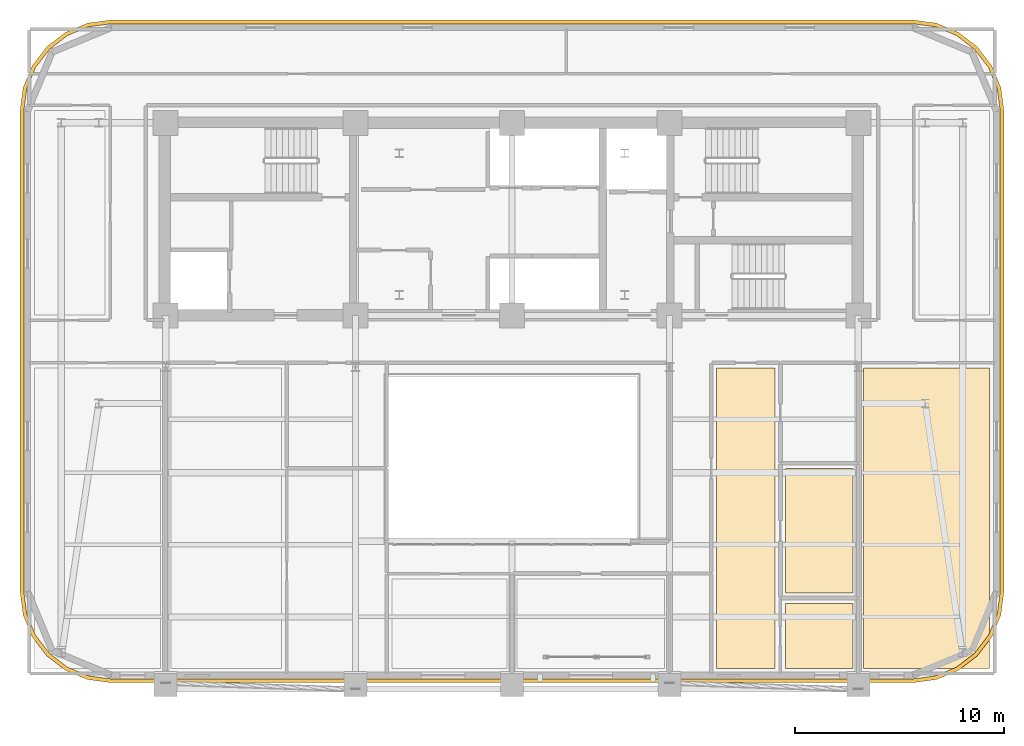
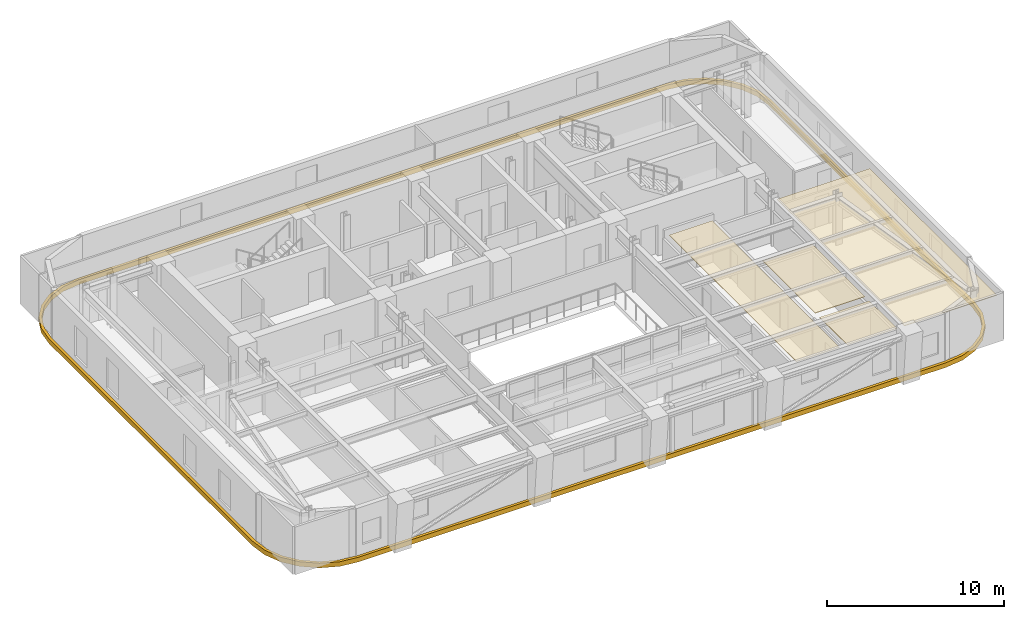
# One storey, part 12 of 13: 5 coverings.
"""IFC4 building model written with IfcOpenShell, lengths in metres."""

from ifc_helpers import new_model, si_unit, direction, frame, origin, place, context, subcontext, project, spatial, polyline, outline, extrude, material, layer, layer_set, type_object, element, save


model = new_model("IFC4")

# Units and contexts
model_context = context("Model", 3, precision=1e-05, world=origin(), true_north=direction((0.0, 1.0)))
body_context = subcontext(model_context, "Body", "Model", "MODEL_VIEW")
ifc_project = project(units=[si_unit("LENGTHUNIT", "METRE"), si_unit("AREAUNIT", "SQUARE_METRE"), si_unit("VOLUMEUNIT", "CUBIC_METRE"), si_unit("PLANEANGLEUNIT", "RADIAN"), si_unit("MASSUNIT", "GRAM", prefix="KILO")], contexts=[model_context])

# Site, building, storey
site_placement = place(None, origin())
site = spatial("IfcSite", under=ifc_project, at=site_placement, CompositionType="ELEMENT")
building_placement = place(site_placement, origin())
building = spatial("IfcBuilding", under=site, at=building_placement, Name="Zarnavel Station Tower", CompositionType="ELEMENT")
storey_placement = place(building_placement, frame((0.0, 0.0, 176.75)))
storey = spatial("IfcBuildingStorey", under=building, at=storey_placement, Name="L48", CompositionType="ELEMENT", Elevation=176.75)

# Coverings
ifc_material_1 = material(Name="Perforated Gypsum and Mineral-Wool Acoustic Ceiling", Category="concrete")
ifc_layer = layer(ifc_material_1, 0.0400390625)
ifc_layer_set = layer_set([ifc_layer], Name="COV_CEIL_ACOUSTIC")
covering_type_1 = type_object("IfcCoveringType", Name="COV_CEIL_ACOUSTIC", PredefinedType="CEILING", material=ifc_layer_set)
covering_1_placement = place(storey_placement, frame((0.0, 0.0, 2.969970703125)))
element("IfcCovering", 1, at=covering_1_placement, inside=storey, type_object=covering_type_1, Name="L48 UE1LV Acoustic Ceiling", PredefinedType="CEILING", context=body_context, shape_type="SweptSolid", body=[
    extrude(outline(polyline([(38.60009765625, 10.909912109375), (41.4130859375, 10.909912109375), (41.4130859375, 25.300048828125), (38.60009765625, 25.300048828125), (38.60009765625, 10.909912109375)])), origin(), (0.0, 0.0, 1.0), 0.0400390625),
])
covering_2_placement = place(storey_placement, frame((0.0, 0.0, 2.969970703125)))
element("IfcCovering", 2, at=covering_2_placement, inside=storey, type_object=covering_type_1, Name="L48 UE1B1 Acoustic Ceiling", PredefinedType="CEILING", context=body_context, shape_type="SweptSolid", body=[
    extrude(outline(polyline([(41.9130859375, 10.909912109375), (45.14990234375, 10.909912109375), (45.14990234375, 14.02294921875), (41.9130859375, 14.02294921875), (41.9130859375, 10.909912109375)])), origin(), (0.0, 0.0, 1.0), 0.0400390625),
])
covering_3_placement = place(storey_placement, frame((0.0, 0.0, 2.969970703125)))
element("IfcCovering", 3, at=covering_3_placement, inside=storey, type_object=covering_type_1, Name="L48 UE1KT Acoustic Ceiling", PredefinedType="CEILING", context=body_context, shape_type="SweptSolid", body=[
    extrude(outline(polyline([(41.9130859375, 14.52294921875), (45.14990234375, 14.52294921875), (45.14990234375, 20.48291015625), (41.9130859375, 20.48291015625), (41.9130859375, 14.52294921875)])), origin(), (0.0, 0.0, 1.0), 0.0400390625),
])
covering_4_placement = place(storey_placement, frame((0.0, 0.0, 2.969970703125)))
element("IfcCovering", 4, at=covering_4_placement, inside=storey, type_object=covering_type_1, Name="L48 L47TEA Acoustic Ceiling", PredefinedType="CEILING", context=body_context, shape_type="SweptSolid", body=[
    extrude(outline(polyline([(45.64990234375, 10.909912109375), (51.68994140625, 10.909912109375), (51.68994140625, 25.300048828125), (45.64990234375, 25.300048828125), (45.64990234375, 10.909912109375)])), origin(), (0.0, 0.0, 1.0), 0.0400390625),
])
ifc_material_2 = material(Name="Precast concrete C45/55 (Pale Travertine Slab Band)", Category="masonry")
covering_type_2 = type_object("IfcCoveringType", Name="COV_TRAVERTINE_BAND", PredefinedType="CLADDING", material=ifc_material_2)
covering_5_placement = place(storey_placement, frame((0.0, 0.0, -0.260009765625)))
element("IfcCovering", 5, at=covering_5_placement, inside=storey, type_object=covering_type_2, Name="L48 Pale Travertine Slab-Edge Band", PredefinedType="CLADDING", context=body_context, shape_type="SweptSolid", body=[
    extrude(outline(polyline([(48.0, 10.219970703125), (49.133544921875, 10.369140625), (50.18994140625, 10.806884765625), (51.09716796875, 11.5029296875), (51.793212890625, 12.409912109375), (52.230712890625, 13.46630859375), (52.3798828125, 14.60009765625), (52.3798828125, 37.60009765625), (52.230712890625, 38.733642578125), (51.793212890625, 39.7900390625), (51.09716796875, 40.697021484375), (50.18994140625, 41.393310546875), (49.133544921875, 41.830810546875), (48.0, 41.97998046875), (9.60009765625, 41.97998046875), (8.46630859375, 41.830810546875), (7.409912109375, 41.393310546875), (6.5029296875, 40.697021484375), (5.806884765625, 39.7900390625), (5.369140625, 38.733642578125), (5.219970703125, 37.60009765625), (5.219970703125, 14.60009765625), (5.369140625, 13.46630859375), (5.806884765625, 12.409912109375), (6.5029296875, 11.5029296875), (7.409912109375, 10.806884765625), (8.46630859375, 10.369140625), (9.60009765625, 10.219970703125), (48.0, 10.219970703125)]), holes=[polyline([(48.0, 10.39990234375), (49.0869140625, 10.543212890625), (50.10009765625, 10.962646484375), (50.9697265625, 11.630126953125), (51.63720703125, 12.5), (52.056884765625, 13.512939453125), (52.199951171875, 14.60009765625), (52.199951171875, 37.60009765625), (52.056884765625, 38.68701171875), (51.63720703125, 39.699951171875), (50.9697265625, 40.56982421875), (50.10009765625, 41.2373046875), (49.0869140625, 41.656982421875), (48.0, 41.800048828125), (9.60009765625, 41.800048828125), (8.512939453125, 41.656982421875), (7.5, 41.2373046875), (6.630126953125, 40.56982421875), (5.962646484375, 39.699951171875), (5.543212890625, 38.68701171875), (5.39990234375, 37.60009765625), (5.39990234375, 14.60009765625), (5.543212890625, 13.512939453125), (5.962646484375, 12.5), (6.630126953125, 11.630126953125), (7.5, 10.962646484375), (8.512939453125, 10.543212890625), (9.60009765625, 10.39990234375), (48.0, 10.39990234375)])]), origin(), (0.0, 0.0, 1.0), 0.320068359375),
])

save(model, "model.ifc")
